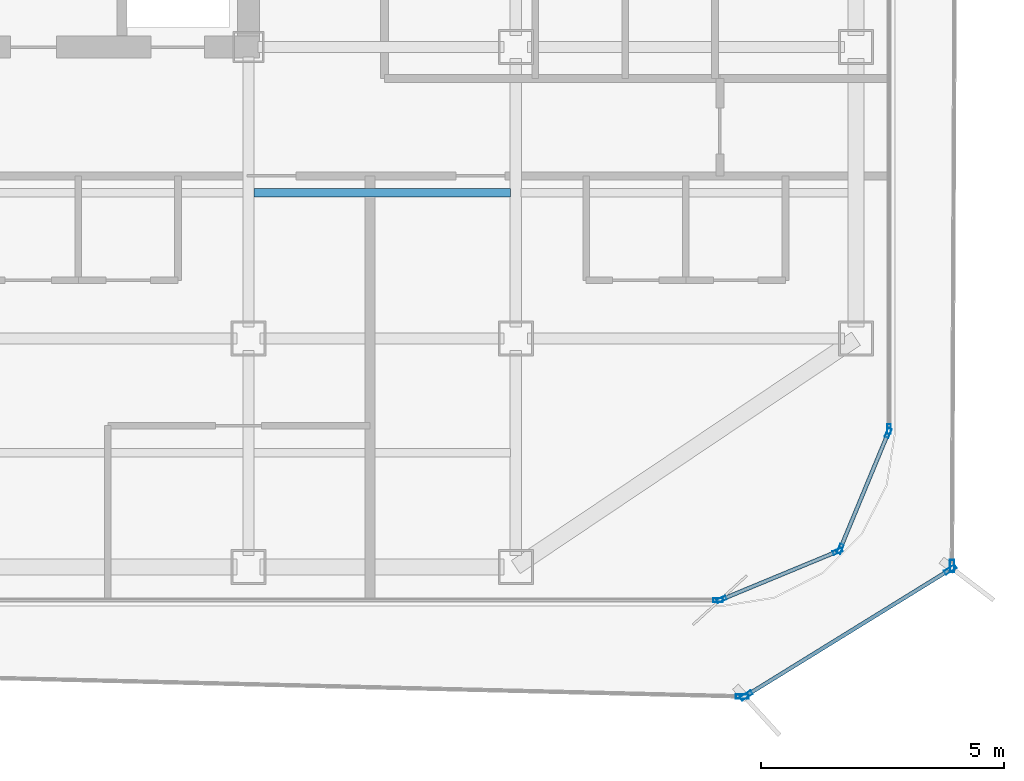
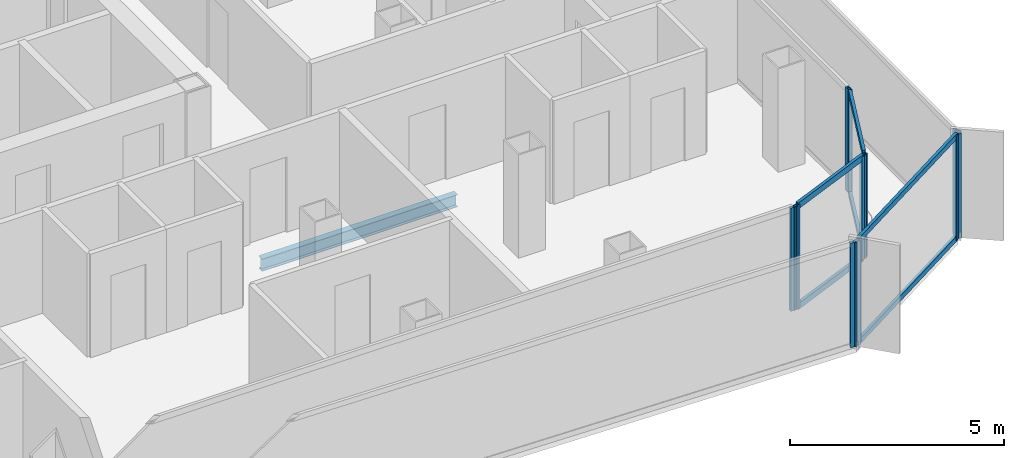
# One storey, part 4 of 15: 16 members, 1 beam, 7 elements without a shape of their own.
"""IFC4 building model written with IfcOpenShell, lengths in metres."""

from ifc_helpers import new_model, si_unit, direction, frame, origin, origin_2d, place, context, subcontext, project, spatial, hollow_rectangle, i_section, extrude, source, transform, mapped, material, layer, layer_set, material_profile, profile_set, type_object, element, aggregate, save


model = new_model("IFC4")

# Units and contexts
model_context = context("Model", 3, precision=1e-05, world=origin(), true_north=direction((0.0, 1.0)))
body_context = subcontext(model_context, "Body", "Model", "MODEL_VIEW")
ifc_project = project(units=[si_unit("LENGTHUNIT", "METRE"), si_unit("AREAUNIT", "SQUARE_METRE"), si_unit("VOLUMEUNIT", "CUBIC_METRE"), si_unit("PLANEANGLEUNIT", "RADIAN"), si_unit("MASSUNIT", "GRAM", prefix="KILO")], contexts=[model_context])

# Site, building, storey
site_placement = place(None, origin())
site = spatial("IfcSite", under=ifc_project, at=site_placement, CompositionType="ELEMENT")
building_placement = place(site_placement, origin())
building = spatial("IfcBuilding", under=site, at=building_placement, Name="Kolveth Station Tower", CompositionType="ELEMENT")
storey_placement = place(building_placement, frame((0.0, 0.0, 199.60009765625)))
storey = spatial("IfcBuildingStorey", under=building, at=storey_placement, Name="L56", CompositionType="ELEMENT", Elevation=199.60009765625)

# Beam
ifc_material_1 = material(Name="Steel S355", Category="steel")
ifc_material_profile_1 = material_profile(ifc_material_1, i_section(OverallWidth=0.1708984375, OverallDepth=0.35205078125, WebThickness=0.0068359375, FlangeThickness=0.009765625, at=origin_2d()), Name="W360x44")
ifc_profile_set_1 = profile_set([ifc_material_profile_1], Name="Steel S355")
beam_type = type_object("IfcBeamType", Name="Beam_J2", PredefinedType="JOIST", material=ifc_profile_set_1)
shared_shape_1 = source(origin(), body_context, "Body", "SweptSolid", [
    extrude(i_section(OverallWidth=0.1708984375, OverallDepth=0.35205078125, WebThickness=0.0068359375, FlangeThickness=0.009765625, at=origin_2d()), origin(), (0.0, 0.0, 1.0), 5.27490234375),
])
beam_placement = place(storey_placement, frame((28.612548828125, 8.5, -0.426025390625), z_axis=(1.0, 0.0, 0.0), x_axis=(0.0, 1.0, 0.0)))
element("IfcBeam", 1, at=beam_placement, inside=storey, type_object=beam_type, Name="L56 Secondary Joist JST-L56-5-2", PredefinedType="JOIST", context=body_context, shape_type="MappedRepresentation", body=[
    mapped(shared_shape_1, transform((0.0, 0.0, 0.0), x_axis=(1.0, 0.0, 0.0), y_axis=(0.0, 1.0, 0.0), z_axis=(0.0, 0.0, 1.0), scale=1.0)),
])

# Curtain wall, members
ifc_material_2 = material(Name="Aluminium 6063-T6 and low-E dark glass", Category="aluminium")
ifc_layer_1 = layer(ifc_material_2, 0.18994140625)
ifc_layer_set_1 = layer_set([ifc_layer_1], Name="Aluminium 6063-T6 and low-E dark glass")
curtain_wall_type_1 = type_object("IfcCurtainWallType", Name="CurtainWall_CW-Z2", PredefinedType="NOTDEFINED", material=ifc_layer_set_1)
curtain_wall_1_placement = place(storey_placement, origin())
curtain_wall_1 = element("IfcCurtainWall", 2, at=curtain_wall_1_placement, inside=storey, type_object=curtain_wall_type_1, Name="L56 Inner Thermal Curtain Wall 1", PredefinedType="NOTDEFINED")
ifc_material_3 = material(Name="Black anodized aluminium 6063-T6", Category="aluminium")
ifc_material_profile_2 = material_profile(ifc_material_3, hollow_rectangle(XDim=0.080078125, YDim=0.199951171875, WallThickness=0.0048828125, at=origin_2d()), Name="ALU-80x200x5")
ifc_profile_set_2 = profile_set([ifc_material_profile_2], Name="Black anodized aluminium 6063-T6")
member_type_1 = type_object("IfcMemberType", Name="Mullion_ML2", PredefinedType="MULLION", material=ifc_profile_set_2)
shared_shape_2 = source(origin(), body_context, "Body", "SweptSolid", [
    extrude(hollow_rectangle(XDim=0.080078125, YDim=0.199951171875, WallThickness=0.0048828125, at=origin_2d()), origin(), (0.0, 0.0, 1.0), 2.949951171875),
])
member_1_placement = place(storey_placement, frame((38.237060546875, 0.13525390625, 0.0), z_axis=(0.0, 0.0, 1.0), x_axis=(-0.382697753087, 0.923873600544, 0.0)))
member_1 = element("IfcMember", 3, at=member_1_placement, type_object=member_type_1, Name="CW-Z2 mullion 1", PredefinedType="MULLION", context=body_context, shape_type="MappedRepresentation", body=[
    mapped(shared_shape_2, transform((0.0, 0.0, 0.0), x_axis=(1.0, 0.0, 0.0), y_axis=(0.0, 1.0, 0.0), z_axis=(0.0, 0.0, 1.0), scale=1.0)),
])
member_2_placement = place(storey_placement, frame((40.623779296875, 1.1240234375, 0.0), z_axis=(0.0, 0.0, 1.0), x_axis=(-0.382697753087, 0.923873600544, 0.0)))
member_2 = element("IfcMember", 4, at=member_2_placement, type_object=member_type_1, Name="CW-Z2 mullion 2", PredefinedType="MULLION", context=body_context, shape_type="MappedRepresentation", body=[
    mapped(shared_shape_2, transform((0.0, 0.0, 0.0), x_axis=(1.0, 0.0, 0.0), y_axis=(0.0, 1.0, 0.0), z_axis=(0.0, 0.0, 1.0), scale=1.0)),
])

curtain_wall_2_placement = place(storey_placement, origin())
curtain_wall_2 = element("IfcCurtainWall", 5, at=curtain_wall_2_placement, inside=storey, type_object=curtain_wall_type_1, Name="L56 Inner Thermal Curtain Wall 2", PredefinedType="NOTDEFINED")
member_3_placement = place(storey_placement, frame((40.676025390625, 1.17626953125, 0.0), z_axis=(0.0, 0.0, 1.0), x_axis=(-0.923873600544, 0.382697753087, 0.0)))
member_3 = element("IfcMember", 6, at=member_3_placement, type_object=member_type_1, Name="CW-Z2 mullion 1", PredefinedType="MULLION", context=body_context, shape_type="MappedRepresentation", body=[
    mapped(shared_shape_2, transform((0.0, 0.0, 0.0), x_axis=(1.0, 0.0, 0.0), y_axis=(0.0, 1.0, 0.0), z_axis=(0.0, 0.0, 1.0), scale=1.0)),
])
member_4_placement = place(storey_placement, frame((41.664794921875, 3.56298828125, 0.0), z_axis=(0.0, 0.0, 1.0), x_axis=(-0.923873600544, 0.382697753087, 0.0)))
member_4 = element("IfcMember", 7, at=member_4_placement, type_object=member_type_1, Name="CW-Z2 mullion 2", PredefinedType="MULLION", context=body_context, shape_type="MappedRepresentation", body=[
    mapped(shared_shape_2, transform((0.0, 0.0, 0.0), x_axis=(1.0, 0.0, 0.0), y_axis=(0.0, 1.0, 0.0), z_axis=(0.0, 0.0, 1.0), scale=1.0)),
])

# Curtain wall, member
curtain_wall_3_placement = place(storey_placement, origin())
curtain_wall_3 = element("IfcCurtainWall", 8, at=curtain_wall_3_placement, inside=storey, type_object=curtain_wall_type_1, Name="L56 Inner Thermal Curtain Wall 3", PredefinedType="NOTDEFINED")
member_5_placement = place(storey_placement, frame((41.679931640625, 3.639892578125, 0.0), z_axis=(0.0, 0.0, 1.0), x_axis=(-1.0, 0.0, 0.0)))
member_5 = element("IfcMember", 9, at=member_5_placement, type_object=member_type_1, Name="CW-Z2 mullion 1", PredefinedType="MULLION", context=body_context, shape_type="MappedRepresentation", body=[
    mapped(shared_shape_2, transform((0.0, 0.0, 0.0), x_axis=(1.0, 0.0, 0.0), y_axis=(0.0, 1.0, 0.0), z_axis=(0.0, 0.0, 1.0), scale=1.0)),
])
aggregate(curtain_wall_3, [member_5])

curtain_wall_4_placement = place(storey_placement, origin())
curtain_wall_4 = element("IfcCurtainWall", 10, at=curtain_wall_4_placement, inside=storey, type_object=curtain_wall_type_1, Name="L56 Inner Thermal Curtain Wall 12", PredefinedType="NOTDEFINED")
member_6_placement = place(storey_placement, frame((38.159912109375, 0.1201171875, 0.0), z_axis=(0.0, 0.0, 1.0), x_axis=(0.0, 1.0, 0.0)))
member_6 = element("IfcMember", 11, at=member_6_placement, type_object=member_type_1, Name="CW-Z2 mullion 2", PredefinedType="MULLION", context=body_context, shape_type="MappedRepresentation", body=[
    mapped(shared_shape_2, transform((0.0, 0.0, 0.0), x_axis=(1.0, 0.0, 0.0), y_axis=(0.0, 1.0, 0.0), z_axis=(0.0, 0.0, 1.0), scale=1.0)),
])
aggregate(curtain_wall_4, [member_6])

# Curtain wall, members
ifc_material_4 = material(Name="Black anodized aluminium 6063-T6 and dark solar glass", Category="aluminium")
ifc_layer_2 = layer(ifc_material_4, 0.159912109375)
ifc_layer_set_2 = layer_set([ifc_layer_2], Name="Black anodized aluminium 6063-T6 and dark solar glass")
curtain_wall_type_2 = type_object("IfcCurtainWallType", Name="OUTER SKIN CW-OS", PredefinedType="NOTDEFINED", material=ifc_layer_set_2)
curtain_wall_5_placement = place(storey_placement, origin())
curtain_wall_5 = element("IfcCurtainWall", 12, at=curtain_wall_5_placement, inside=storey, type_object=curtain_wall_type_2, Name="L56 Outer Ventilated Skin Curtain Wall 1", PredefinedType="NOTDEFINED")
ifc_material_profile_3 = material_profile(ifc_material_3, hollow_rectangle(XDim=0.090087890625, YDim=0.260009765625, WallThickness=0.0048828125, at=origin_2d()), Name="ALU-90x260x5")
ifc_profile_set_3 = profile_set([ifc_material_profile_3], Name="Black anodized aluminium 6063-T6")
member_type_2 = type_object("IfcMemberType", Name="FIN MULLION ML-OS", PredefinedType="MULLION", material=ifc_profile_set_3)
shared_shape_3 = source(origin(), body_context, "Body", "SweptSolid", [
    extrude(hollow_rectangle(XDim=0.090087890625, YDim=0.260009765625, WallThickness=0.0048828125, at=origin_2d()), origin(), (0.0, 0.0, 1.0), 2.989990234375),
])
member_7_placement = place(storey_placement, frame((38.743408203125, -1.841552734375, 0.0), z_axis=(0.0, 0.0, 1.0), x_axis=(-0.525540778259, 0.850768411724, 0.0)))
member_7 = element("IfcMember", 13, at=member_7_placement, type_object=member_type_2, Name="CW-OS mullion 1", PredefinedType="MULLION", context=body_context, shape_type="MappedRepresentation", body=[
    mapped(shared_shape_3, transform((0.0, 0.0, 0.0), x_axis=(1.0, 0.0, 0.0), y_axis=(0.0, 1.0, 0.0), z_axis=(0.0, 0.0, 1.0), scale=1.0)),
])
member_8_placement = place(storey_placement, frame((42.93994140625, 0.750732421875, 0.0), z_axis=(0.0, 0.0, 1.0), x_axis=(-0.525540778259, 0.850768411724, 0.0)))
member_8 = element("IfcMember", 14, at=member_8_placement, type_object=member_type_2, Name="CW-OS mullion 2", PredefinedType="MULLION", context=body_context, shape_type="MappedRepresentation", body=[
    mapped(shared_shape_3, transform((0.0, 0.0, 0.0), x_axis=(1.0, 0.0, 0.0), y_axis=(0.0, 1.0, 0.0), z_axis=(0.0, 0.0, 1.0), scale=1.0)),
])

# Curtain wall, member
curtain_wall_6_placement = place(storey_placement, origin())
curtain_wall_6 = element("IfcCurtainWall", 15, at=curtain_wall_6_placement, inside=storey, type_object=curtain_wall_type_2, Name="L56 Outer Ventilated Skin Curtain Wall 2", PredefinedType="NOTDEFINED")
member_9_placement = place(storey_placement, frame((42.978515625, 0.8193359375, 0.0), z_axis=(0.0, 0.0, 1.0), x_axis=(-0.999989792407, 0.004518305281, 0.0)))
member_9 = element("IfcMember", 16, at=member_9_placement, type_object=member_type_2, Name="CW-OS mullion 1", PredefinedType="MULLION", context=body_context, shape_type="MappedRepresentation", body=[
    mapped(shared_shape_3, transform((0.0, 0.0, 0.0), x_axis=(1.0, 0.0, 0.0), y_axis=(0.0, 1.0, 0.0), z_axis=(0.0, 0.0, 1.0), scale=1.0)),
])
aggregate(curtain_wall_6, [member_9])

curtain_wall_7_placement = place(storey_placement, origin())
curtain_wall_7 = element("IfcCurtainWall", 17, at=curtain_wall_7_placement, inside=storey, type_object=curtain_wall_type_2, Name="L56 Outer Ventilated Skin Curtain Wall 8", PredefinedType="NOTDEFINED")
member_10_placement = place(storey_placement, frame((38.66015625, -1.864013671875, 0.0), z_axis=(0.0, 0.0, 1.0), x_axis=(0.024639251977, 0.999696407547, 0.0)))
member_10 = element("IfcMember", 18, at=member_10_placement, type_object=member_type_2, Name="CW-OS mullion 2", PredefinedType="MULLION", context=body_context, shape_type="MappedRepresentation", body=[
    mapped(shared_shape_3, transform((0.0, 0.0, 0.0), x_axis=(1.0, 0.0, 0.0), y_axis=(0.0, 1.0, 0.0), z_axis=(0.0, 0.0, 1.0), scale=1.0)),
])
aggregate(curtain_wall_7, [member_10])

# Member
ifc_material_profile_4 = material_profile(ifc_material_3, hollow_rectangle(XDim=0.080078125, YDim=0.169921875, WallThickness=0.0048828125, at=origin_2d()), Name="ALU-80x170x5")
ifc_profile_set_4 = profile_set([ifc_material_profile_4], Name="Black anodized aluminium 6063-T6")
member_type_3 = type_object("IfcMemberType", Name="Transom_TR2", PredefinedType="USERDEFINED", material=ifc_profile_set_4)
shared_shape_4 = source(origin(), body_context, "Body", "SweptSolid", [
    extrude(hollow_rectangle(XDim=0.080078125, YDim=0.169921875, WallThickness=0.0048828125, at=origin_2d()), origin(), (0.0, 0.0, 1.0), 2.50341796875),
])
member_11_placement = place(storey_placement, frame((38.27392578125, 0.150634765625, 0.039794921875), z_axis=(0.923874190494, 0.382696328882, 0.0), x_axis=(-0.382696328882, 0.923874190494, 0.0)))
member_11 = element("IfcMember", 19, at=member_11_placement, type_object=member_type_3, Name="CW-Z2 transom 1.1", ObjectType="TRANSOM", PredefinedType="USERDEFINED", context=body_context, shape_type="MappedRepresentation", body=[
    mapped(shared_shape_4, transform((0.0, 0.0, 0.0), x_axis=(1.0, 0.0, 0.0), y_axis=(0.0, 1.0, 0.0), z_axis=(0.0, 0.0, 1.0), scale=1.0)),
])

member_12_placement = place(storey_placement, frame((38.27392578125, 0.150634765625, 2.909912109375), z_axis=(0.923874190494, 0.382696328882, 0.0), x_axis=(-0.382696328882, 0.923874190494, 0.0)))
member_12 = element("IfcMember", 20, at=member_12_placement, type_object=member_type_3, Name="CW-Z2 transom 1.2", ObjectType="TRANSOM", PredefinedType="USERDEFINED", context=body_context, shape_type="MappedRepresentation", body=[
    mapped(shared_shape_4, transform((0.0, 0.0, 0.0), x_axis=(1.0, 0.0, 0.0), y_axis=(0.0, 1.0, 0.0), z_axis=(0.0, 0.0, 1.0), scale=1.0)),
])

aggregate(curtain_wall_1, [member_1, member_2, member_11, member_12])

member_13_placement = place(storey_placement, frame((40.69140625, 1.213134765625, 0.039794921875), z_axis=(0.382661849723, 0.923888472039, 0.0), x_axis=(-0.923888472039, 0.382661849723, 0.0)))
member_13 = element("IfcMember", 21, at=member_13_placement, type_object=member_type_3, Name="CW-Z2 transom 1.1", ObjectType="TRANSOM", PredefinedType="USERDEFINED", context=body_context, shape_type="MappedRepresentation", body=[
    mapped(shared_shape_4, transform((0.0, 0.0, 0.0), x_axis=(1.0, 0.0, 0.0), y_axis=(0.0, 1.0, 0.0), z_axis=(0.0, 0.0, 1.0), scale=1.0)),
])

member_14_placement = place(storey_placement, frame((40.69140625, 1.213134765625, 2.909912109375), z_axis=(0.382661849723, 0.923888472039, 0.0), x_axis=(-0.923888472039, 0.382661849723, 0.0)))
member_14 = element("IfcMember", 22, at=member_14_placement, type_object=member_type_3, Name="CW-Z2 transom 1.2", ObjectType="TRANSOM", PredefinedType="USERDEFINED", context=body_context, shape_type="MappedRepresentation", body=[
    mapped(shared_shape_4, transform((0.0, 0.0, 0.0), x_axis=(1.0, 0.0, 0.0), y_axis=(0.0, 1.0, 0.0), z_axis=(0.0, 0.0, 1.0), scale=1.0)),
])

aggregate(curtain_wall_2, [member_3, member_4, member_13, member_14])

ifc_material_profile_5 = material_profile(ifc_material_3, hollow_rectangle(XDim=0.080078125, YDim=0.14990234375, WallThickness=0.0048828125, at=origin_2d()), Name="ALU-80x150x5")
ifc_profile_set_5 = profile_set([ifc_material_profile_5], Name="Black anodized aluminium 6063-T6")
member_type_4 = type_object("IfcMemberType", Name="Transom_TR-OS", PredefinedType="USERDEFINED", material=ifc_profile_set_5)
shared_shape_5 = source(origin(), body_context, "Body", "SweptSolid", [
    extrude(hollow_rectangle(XDim=0.080078125, YDim=0.14990234375, WallThickness=0.0048828125, at=origin_2d()), origin(), (0.0, 0.0, 1.0), 4.842529296875),
])
member_15_placement = place(storey_placement, frame((38.78173828125, -1.81787109375, 0.039794921875), z_axis=(0.850770815121, 0.525536887515, 0.0), x_axis=(-0.525536887515, 0.850770815121, 0.0)))
member_15 = element("IfcMember", 23, at=member_15_placement, type_object=member_type_4, Name="CW-OS transom 1.1", ObjectType="TRANSOM", PredefinedType="USERDEFINED", context=body_context, shape_type="MappedRepresentation", body=[
    mapped(shared_shape_5, transform((0.0, 0.0, 0.0), x_axis=(1.0, 0.0, 0.0), y_axis=(0.0, 1.0, 0.0), z_axis=(0.0, 0.0, 1.0), scale=1.0)),
])

member_16_placement = place(storey_placement, frame((38.78173828125, -1.81787109375, 2.949951171875), z_axis=(0.850770815121, 0.525536887515, 0.0), x_axis=(-0.525536887515, 0.850770815121, 0.0)))
member_16 = element("IfcMember", 24, at=member_16_placement, type_object=member_type_4, Name="CW-OS transom 1.2", ObjectType="TRANSOM", PredefinedType="USERDEFINED", context=body_context, shape_type="MappedRepresentation", body=[
    mapped(shared_shape_5, transform((0.0, 0.0, 0.0), x_axis=(1.0, 0.0, 0.0), y_axis=(0.0, 1.0, 0.0), z_axis=(0.0, 0.0, 1.0), scale=1.0)),
])

aggregate(curtain_wall_5, [member_7, member_8, member_15, member_16])

save(model, "model.ifc")
